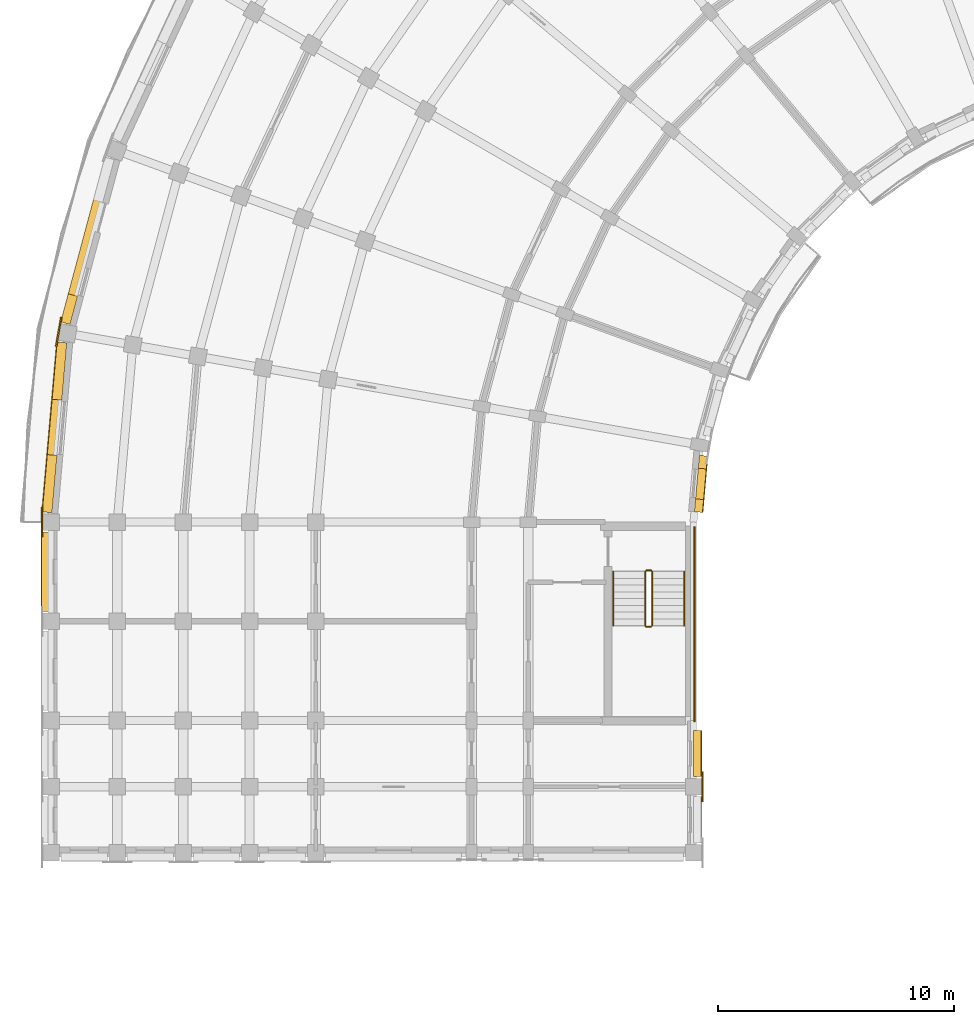
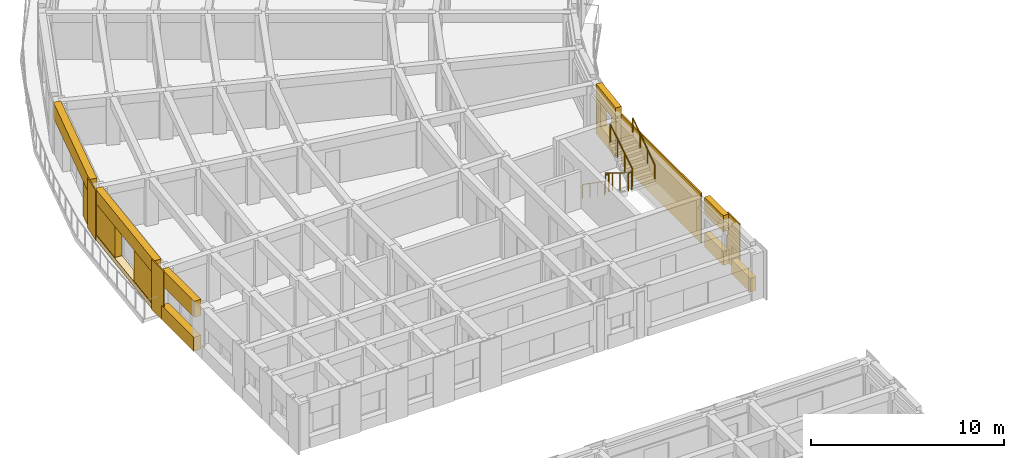
# One storey, part 46 of 57: 19 coverings, 6 railings.
"""IFC4 building model written with IfcOpenShell, lengths in metres."""

from ifc_helpers import new_model, si_unit, direction, frame, origin, origin_2d, place, context, subcontext, project, spatial, polyline, circle, outline, extrude, material, layer, layer_set, type_object, element, save


model = new_model("IFC4")

# Units and contexts
model_context = context("Model", 3, precision=1e-05, world=origin(), true_north=direction((0.0, 1.0)))
body_context = subcontext(model_context, "Body", "Model", "MODEL_VIEW")
ifc_project = project(units=[si_unit("LENGTHUNIT", "METRE"), si_unit("AREAUNIT", "SQUARE_METRE"), si_unit("VOLUMEUNIT", "CUBIC_METRE"), si_unit("PLANEANGLEUNIT", "RADIAN"), si_unit("MASSUNIT", "GRAM", prefix="KILO")], contexts=[model_context])

# Site, building, storey
site_placement = place(None, origin())
site = spatial("IfcSite", under=ifc_project, at=site_placement, CompositionType="ELEMENT")
building_placement = place(site_placement, origin())
building = spatial("IfcBuilding", under=site, at=building_placement, Name="Kiranvali Square Residences", CompositionType="ELEMENT")
storey_placement = place(building_placement, frame((0.0, 0.0, 21.300048828125)))
storey = spatial("IfcBuildingStorey", under=building, at=storey_placement, Name="L06", CompositionType="ELEMENT", Elevation=21.300048828125)

# Coverings
ifc_material_1 = material(Name="Honed Porbandar limestone ashlar facade cladding", Category="masonry")
ifc_layer_1 = layer(ifc_material_1, 0.3798828125)
ifc_layer_set_1 = layer_set([ifc_layer_1], Name="Honed Porbandar limestone ashlar facade cladding")
covering_type_1 = type_object("IfcCoveringType", Name="COV-CLAD-JAMB", PredefinedType="CLADDING", material=ifc_layer_set_1)
covering_1_placement = place(storey_placement, origin())
element("IfcCovering", 1, at=covering_1_placement, inside=storey, type_object=covering_type_1, Name="L06 deep limestone window jamb reveal A-L06-CRV-07.R", PredefinedType="CLADDING", context=body_context, shape_type="SweptSolid", body=[
    extrude(outline(polyline([(2.923828125, 97.46533203125), (2.6064453125, 96.2802734375), (3.001953125, 96.17431640625), (3.3193359375, 97.359375), (2.923828125, 97.46533203125)])), origin(), (0.0, 0.0, 1.0), 2.179931640625),
])
covering_2_placement = place(storey_placement, frame((0.0, 0.0, 0.322021484375)))
element("IfcCovering", 2, at=covering_2_placement, inside=storey, type_object=covering_type_1, Name="L06 deep limestone window jamb reveal A-L06-CRV-08.L", PredefinedType="CLADDING", context=body_context, shape_type="SweptSolid", body=[
    extrude(outline(polyline([(2.45556640625, 95.425048828125), (2.243408203125, 93.000244140625), (2.6513671875, 92.964599609375), (2.863525390625, 95.389404296875), (2.45556640625, 95.425048828125)])), origin(), (0.0, 0.0, 1.0), 1.949951171875),
])
covering_3_placement = place(storey_placement, frame((0.0, 0.0, 0.322021484375)))
element("IfcCovering", 3, at=covering_3_placement, inside=storey, type_object=covering_type_1, Name="L06 deep limestone window jamb reveal A-L06-CRV-08.R", PredefinedType="CLADDING", context=body_context, shape_type="SweptSolid", body=[
    extrude(outline(polyline([(2.03857421875, 90.6591796875), (1.826416015625, 88.234130859375), (2.234375, 88.198486328125), (2.446533203125, 90.62353515625), (2.03857421875, 90.6591796875)])), origin(), (0.0, 0.0, 1.0), 1.949951171875),
])
covering_4_placement = place(storey_placement, frame((0.0, 0.0, 0.77197265625)))
element("IfcCovering", 4, at=covering_4_placement, inside=storey, type_object=covering_type_1, Name="L06 deep limestone window jamb reveal A-L06-GDN-08.L", PredefinedType="CLADDING", context=body_context, shape_type="SweptSolid", body=[
    extrude(outline(polyline([(29.647705078125, 90.626220703125), (29.599853515625, 90.079833984375), (29.938232421875, 90.05029296875), (29.986083984375, 90.5966796875), (29.647705078125, 90.626220703125)])), origin(), (0.0, 0.0, 1.0), 1.5),
])
covering_5_placement = place(storey_placement, frame((0.0, 0.0, 0.77197265625)))
element("IfcCovering", 5, at=covering_5_placement, inside=storey, type_object=covering_type_1, Name="L06 deep limestone window jamb reveal A-L06-GDN-08.R", PredefinedType="CLADDING", context=body_context, shape_type="SweptSolid", body=[
    extrude(outline(polyline([(29.486572265625, 88.78466796875), (29.43896484375, 88.23828125), (29.777099609375, 88.208740234375), (29.824951171875, 88.755126953125), (29.486572265625, 88.78466796875)])), origin(), (0.0, 0.0, 1.0), 1.5),
])
ifc_layer_2 = layer(ifc_material_1, 0.06494140625)
ifc_layer_set_2 = layer_set([ifc_layer_2], Name="Honed Porbandar limestone ashlar facade cladding")
covering_type_2 = type_object("IfcCoveringType", Name="COV-CLAD-PIER", PredefinedType="CLADDING", material=ifc_layer_set_2)
covering_6_placement = place(storey_placement, frame((0.0, 0.0, 0.0048828125)))
element("IfcCovering", 6, at=covering_6_placement, inside=storey, type_object=covering_type_2, Name="L06 Classical limestone corner pilaster CLAD-PR-A-L06-A08", PredefinedType="CLADDING", context=body_context, shape_type="SweptSolid", body=[
    extrude(outline(polyline([(2.5966796875, 96.480712890625), (2.377685546875, 95.239990234375), (2.4443359375, 95.228271484375), (2.6630859375, 96.468994140625), (2.5966796875, 96.480712890625)])), origin(), (0.0, 0.0, 1.0), 3.14013671875),
])
covering_7_placement = place(storey_placement, frame((0.0, 0.0, 0.0048828125)))
element("IfcCovering", 7, at=covering_7_placement, inside=storey, type_object=covering_type_2, Name="L06 Classical limestone corner pilaster CLAD-PR-A-L06-A09", PredefinedType="CLADDING", context=body_context, shape_type="SweptSolid", body=[
    extrude(outline(polyline([(1.781982421875, 88.429931640625), (1.781982421875, 87.169921875), (1.849609375, 87.169921875), (1.849609375, 88.429931640625), (1.781982421875, 88.429931640625)])), origin(), (0.0, 0.0, 1.0), 3.14013671875),
])
covering_8_placement = place(storey_placement, frame((0.0, 0.0, 0.0048828125)))
element("IfcCovering", 8, at=covering_8_placement, inside=storey, type_object=covering_type_2, Name="Block A L06 Arm 2 stair limestone ashlar cladding", PredefinedType="CLADDING", context=body_context, shape_type="SweptSolid", body=[
    extrude(outline(polyline([(29.402099609375, 87.60009765625), (29.402099609375, 79.35009765625), (29.47998046875, 79.35009765625), (29.47998046875, 87.60009765625), (29.402099609375, 87.60009765625)])), origin(), (0.0, 0.0, 1.0), 3.14013671875),
])
ifc_layer_3 = layer(ifc_material_1, 0.050048828125)
ifc_layer_set_3 = layer_set([ifc_layer_3], Name="Honed Porbandar limestone ashlar facade cladding")
covering_type_3 = type_object("IfcCoveringType", Name="COV-CLAD-PIER-IN", PredefinedType="CLADDING", material=ifc_layer_set_3)
covering_9_placement = place(storey_placement, frame((0.0, 0.0, 0.0048828125)))
element("IfcCovering", 9, at=covering_9_placement, inside=storey, type_object=covering_type_3, Name="L06 Classical limestone pilaster casing CLAD-PRA2I-A-L06-V112", PredefinedType="CLADDING", context=body_context, shape_type="SweptSolid", body=[
    extrude(outline(polyline([(29.75048828125, 77.22998046875), (29.75048828125, 75.969970703125), (29.818115234375, 75.969970703125), (29.818115234375, 77.22998046875), (29.75048828125, 77.22998046875)])), origin(), (0.0, 0.0, 1.0), 3.14013671875),
])
ifc_layer_4 = layer(ifc_material_1, 0.360107421875)
ifc_layer_set_4 = layer_set([ifc_layer_4], Name="Honed Porbandar limestone ashlar facade cladding")
covering_type_4 = type_object("IfcCoveringType", Name="COV-CLAD-WALL", PredefinedType="CLADDING", material=ifc_layer_set_4)
covering_10_placement = place(storey_placement, frame((0.0, 0.0, 2.179931640625)))
element("IfcCovering", 10, at=covering_10_placement, inside=storey, type_object=covering_type_4, Name="L06 light limestone spandrel lintel A-L06-CRV-07", PredefinedType="CLADDING", context=body_context, shape_type="SweptSolid", body=[
    extrude(outline(polyline([(4.474609375, 103.252685546875), (2.6064453125, 96.2802734375), (3.001953125, 96.17431640625), (4.8701171875, 103.146728515625), (4.474609375, 103.252685546875)])), origin(), (0.0, 0.0, 1.0), 0.965087890625),
])
covering_11_placement = place(storey_placement, frame((0.0, 0.0, 2.27197265625)))
element("IfcCovering", 11, at=covering_11_placement, inside=storey, type_object=covering_type_4, Name="L06 light limestone spandrel lintel A-L06-CRV-08", PredefinedType="CLADDING", context=body_context, shape_type="SweptSolid", body=[
    extrude(outline(polyline([(2.45556640625, 95.425048828125), (1.826416015625, 88.234130859375), (2.234375, 88.198486328125), (2.863525390625, 95.389404296875), (2.45556640625, 95.425048828125)])), origin(), (0.0, 0.0, 1.0), 0.873046875),
])
covering_12_placement = place(storey_placement, frame((0.0, 0.0, 0.0048828125)))
element("IfcCovering", 12, at=covering_12_placement, inside=storey, type_object=covering_type_4, Name="L06 limestone window sill apron A-L06-CRV-08", PredefinedType="CLADDING", context=body_context, shape_type="SweptSolid", body=[
    extrude(outline(polyline([(2.42578125, 95.427734375), (1.796630859375, 88.23681640625), (2.234375, 88.198486328125), (2.863525390625, 95.389404296875), (2.42578125, 95.427734375)])), origin(), (0.0, 0.0, 1.0), 0.317138671875),
])
covering_13_placement = place(storey_placement, frame((0.0, 0.0, 2.27197265625)))
element("IfcCovering", 13, at=covering_13_placement, inside=storey, type_object=covering_type_4, Name="L06 light limestone spandrel lintel A-L06-GDN-08", PredefinedType="CLADDING", context=body_context, shape_type="SweptSolid", body=[
    extrude(outline(polyline([(29.647705078125, 90.626220703125), (29.43896484375, 88.23828125), (29.777099609375, 88.208740234375), (29.986083984375, 90.5966796875), (29.647705078125, 90.626220703125)])), origin(), (0.0, 0.0, 1.0), 0.873046875),
])
covering_14_placement = place(storey_placement, frame((0.0, 0.0, 2.1298828125)))
element("IfcCovering", 14, at=covering_14_placement, inside=storey, type_object=covering_type_4, Name="L06 light limestone spandrel lintel A-L06-A2O-0", PredefinedType="CLADDING", context=body_context, shape_type="SweptSolid", body=[
    extrude(outline(polyline([(1.800048828125, 87.3798828125), (1.800048828125, 84.02001953125), (2.199462890625, 84.02001953125), (2.199462890625, 87.3798828125), (1.800048828125, 87.3798828125)])), origin(), (0.0, 0.0, 1.0), 1.01513671875),
])
covering_15_placement = place(storey_placement, frame((0.0, 0.0, 0.0048828125)))
element("IfcCovering", 15, at=covering_15_placement, inside=storey, type_object=covering_type_4, Name="L06 limestone window sill apron A-L06-A2O-0", PredefinedType="CLADDING", context=body_context, shape_type="SweptSolid", body=[
    extrude(outline(polyline([(1.77001953125, 87.3798828125), (1.77001953125, 84.02001953125), (2.199462890625, 84.02001953125), (2.199462890625, 87.3798828125), (1.77001953125, 87.3798828125)])), origin(), (0.0, 0.0, 1.0), 0.875),
])
covering_16_placement = place(storey_placement, frame((0.0, 0.0, 2.1298828125)))
element("IfcCovering", 16, at=covering_16_placement, inside=storey, type_object=covering_type_4, Name="L06 light limestone spandrel lintel A-L06-A2I-0", PredefinedType="CLADDING", context=body_context, shape_type="SweptSolid", body=[
    extrude(outline(polyline([(29.400390625, 78.97998046875), (29.400390625, 77.02001953125), (29.719970703125, 77.02001953125), (29.719970703125, 78.97998046875), (29.400390625, 78.97998046875)])), origin(), (0.0, 0.0, 1.0), 1.01513671875),
])
covering_17_placement = place(storey_placement, frame((0.0, 0.0, 0.0048828125)))
element("IfcCovering", 17, at=covering_17_placement, inside=storey, type_object=covering_type_4, Name="L06 limestone window sill apron A-L06-A2I-0", PredefinedType="CLADDING", context=body_context, shape_type="SweptSolid", body=[
    extrude(outline(polyline([(29.400390625, 78.97998046875), (29.400390625, 77.02001953125), (29.75, 77.02001953125), (29.75, 78.97998046875), (29.400390625, 78.97998046875)])), origin(), (0.0, 0.0, 1.0), 0.875),
])
covering_18_placement = place(storey_placement, frame((0.0, 0.0, 0.0048828125)))
element("IfcCovering", 18, at=covering_18_placement, inside=storey, type_object=covering_type_4, Name="L06 limestone window sill apron A-L06-A2I-1", PredefinedType="CLADDING", context=body_context, shape_type="SweptSolid", body=[
    extrude(outline(polyline([(29.400390625, 76.179931640625), (29.400390625, 74.219970703125), (29.75, 74.219970703125), (29.75, 76.179931640625), (29.400390625, 76.179931640625)])), origin(), (0.0, 0.0, 1.0), 0.875),
])
ifc_layer_5 = layer(ifc_material_1, 0.2900390625)
ifc_layer_set_5 = layer_set([ifc_layer_5], Name="Honed Porbandar limestone ashlar facade cladding")
covering_type_5 = type_object("IfcCoveringType", Name="COV-CLAD-WALL-IN", PredefinedType="CLADDING", material=ifc_layer_set_5)
covering_19_placement = place(storey_placement, frame((0.0, 0.0, 0.0048828125)))
element("IfcCovering", 19, at=covering_19_placement, inside=storey, type_object=covering_type_5, Name="L06 limestone window sill apron A-L06-GDN-08", PredefinedType="CLADDING", context=body_context, shape_type="SweptSolid", body=[
    extrude(outline(polyline([(29.647705078125, 90.626220703125), (29.43896484375, 88.23828125), (29.806884765625, 88.2060546875), (30.015869140625, 90.593994140625), (29.647705078125, 90.626220703125)])), origin(), (0.0, 0.0, 1.0), 0.76708984375),
])

# Railings
ifc_material_2 = material(Name="Brushed stainless steel tubular handrail", Category="steel")
railing_type_1 = type_object("IfcRailingType", Name="RL-HANDRAIL-900", PredefinedType="HANDRAIL", material=ifc_material_2)
railing_1_placement = place(storey_placement, frame((26.0, 85.699951171875, 0.175048828125)))
element("IfcRailing", 20, at=railing_1_placement, inside=storey, type_object=railing_type_1, Name="L06 ST-A3 stair handrail 1", PredefinedType="HANDRAIL", context=body_context, shape_type="SweptSolid", body=[
    extrude(circle(Radius=0.02392578125, at=origin_2d()), frame((0.0, 0.0, 0.8759765625), z_axis=(0.0, -0.82278801735, 0.568348377763), x_axis=(1.0, 0.0, 0.0)), (0.0, 0.0, 1.0), 2.77099609375),
    extrude(circle(Radius=0.02099609375, at=origin_2d()), origin(), (0.0, 0.0, 1.0), 0.851806640625),
    extrude(circle(Radius=0.02099609375, at=origin_2d()), frame((0.0, -0.760009765625, 0.52490234375)), (0.0, 0.0, 1.0), 0.851806640625),
    extrude(circle(Radius=0.02099609375, at=origin_2d()), frame((0.0, -1.52001953125, 1.050048828125)), (0.0, 0.0, 1.0), 0.851806640625),
    extrude(circle(Radius=0.02099609375, at=origin_2d()), frame((0.0, -2.280029296875, 1.574951171875)), (0.0, 0.0, 1.0), 0.851806640625),
])
railing_2_placement = place(storey_placement, frame((29.0, 83.419921875, 1.75)))
element("IfcRailing", 21, at=railing_2_placement, inside=storey, type_object=railing_type_1, Name="L06 ST-A3 stair handrail 2", PredefinedType="HANDRAIL", context=body_context, shape_type="SweptSolid", body=[
    extrude(circle(Radius=0.02392578125, at=origin_2d()), frame((0.0, 0.0, 0.8759765625), z_axis=(0.0, 0.82278801735, 0.568348377763), x_axis=(-1.0, 0.0, 0.0)), (0.0, 0.0, 1.0), 2.77099609375),
    extrude(circle(Radius=0.02099609375, at=origin_2d()), origin(), (0.0, 0.0, 1.0), 0.851806640625),
    extrude(circle(Radius=0.02099609375, at=origin_2d()), frame((0.0, 0.760009765625, 0.52490234375)), (0.0, 0.0, 1.0), 0.851806640625),
    extrude(circle(Radius=0.02099609375, at=origin_2d()), frame((0.0, 1.52001953125, 1.050048828125)), (0.0, 0.0, 1.0), 0.851806640625),
    extrude(circle(Radius=0.02099609375, at=origin_2d()), frame((0.0, 2.280029296875, 1.574951171875)), (0.0, 0.0, 1.0), 0.851806640625),
])
ifc_material_3 = material(Name="Powder-coated architectural bronze balustrade", Category="steel")
railing_type_2 = type_object("IfcRailingType", Name="RL-ST-GUARD-1200", PredefinedType="GUARDRAIL", material=ifc_material_3)
railing_3_placement = place(storey_placement, frame((27.35009765625, 85.699951171875, 0.175048828125)))
element("IfcRailing", 22, at=railing_3_placement, inside=storey, type_object=railing_type_2, Name="L06 ST-A3 stair guard 1", PredefinedType="GUARDRAIL", context=body_context, shape_type="SweptSolid", body=[
    extrude(circle(Radius=0.02392578125, at=origin_2d()), frame((0.0, 0.0, 1.1259765625), z_axis=(0.0, -0.852190499154, 0.523231643875), x_axis=(1.0, 0.0, 0.0)), (0.0, 0.0, 1.0), 2.675537109375),
    extrude(circle(Radius=0.02099609375, at=origin_2d()), origin(), (0.0, 0.0, 1.0), 1.101806640625),
    extrude(circle(Radius=0.02099609375, at=origin_2d()), frame((0.0, -0.760009765625, 0.466552734375)), (0.0, 0.0, 1.0), 1.101806640625),
    extrude(circle(Radius=0.02099609375, at=origin_2d()), frame((0.0, -1.52001953125, 0.933349609375)), (0.0, 0.0, 1.0), 1.101806640625),
    extrude(circle(Radius=0.02099609375, at=origin_2d()), frame((0.0, -2.280029296875, 1.39990234375)), (0.0, 0.0, 1.0), 1.101806640625),
])
railing_4_placement = place(storey_placement, frame((27.39990234375, 83.3701171875, 1.574951171875)))
element("IfcRailing", 23, at=railing_4_placement, inside=storey, type_object=railing_type_2, Name="L06 ST-A3 stair guard 2", PredefinedType="GUARDRAIL", context=body_context, shape_type="SweptSolid", body=[
    extrude(circle(Radius=0.02392578125, at=origin_2d()), frame((0.0, 0.0, 1.1259765625), z_axis=(1.0, 0.0, 0.0), x_axis=(0.0, 1.0, 0.0)), (0.0, 0.0, 1.0), 0.2001953125),
    extrude(circle(Radius=0.02099609375, at=origin_2d()), origin(), (0.0, 0.0, 1.0), 1.101806640625),
    extrude(circle(Radius=0.02099609375, at=origin_2d()), frame((0.2001953125, 0.0, 0.0)), (0.0, 0.0, 1.0), 1.101806640625),
])
railing_5_placement = place(storey_placement, frame((27.64990234375, 83.419921875, 1.75)))
element("IfcRailing", 24, at=railing_5_placement, inside=storey, type_object=railing_type_2, Name="L06 ST-A3 stair guard 3", PredefinedType="GUARDRAIL", context=body_context, shape_type="SweptSolid", body=[
    extrude(circle(Radius=0.02392578125, at=origin_2d()), frame((0.0, 0.0, 1.1259765625), z_axis=(0.0, 0.852190499154, 0.523231643875), x_axis=(-1.0, 0.0, 0.0)), (0.0, 0.0, 1.0), 2.675537109375),
    extrude(circle(Radius=0.02099609375, at=origin_2d()), origin(), (0.0, 0.0, 1.0), 1.101806640625),
    extrude(circle(Radius=0.02099609375, at=origin_2d()), frame((0.0, 0.760009765625, 0.466552734375)), (0.0, 0.0, 1.0), 1.101806640625),
    extrude(circle(Radius=0.02099609375, at=origin_2d()), frame((0.0, 1.52001953125, 0.933349609375)), (0.0, 0.0, 1.0), 1.101806640625),
    extrude(circle(Radius=0.02099609375, at=origin_2d()), frame((0.0, 2.280029296875, 1.39990234375)), (0.0, 0.0, 1.0), 1.101806640625),
])
railing_6_placement = place(storey_placement, frame((27.39990234375, 85.75, 0.0)))
element("IfcRailing", 25, at=railing_6_placement, inside=storey, type_object=railing_type_2, Name="L06 ST-A3 stair guard 4", PredefinedType="GUARDRAIL", context=body_context, shape_type="SweptSolid", body=[
    extrude(circle(Radius=0.02392578125, at=origin_2d()), frame((0.0, 0.0, 1.1259765625), z_axis=(1.0, 0.0, 0.0), x_axis=(0.0, 1.0, 0.0)), (0.0, 0.0, 1.0), 0.2001953125),
    extrude(circle(Radius=0.02099609375, at=origin_2d()), origin(), (0.0, 0.0, 1.0), 1.101806640625),
    extrude(circle(Radius=0.02099609375, at=origin_2d()), frame((0.2001953125, 0.0, 0.0)), (0.0, 0.0, 1.0), 1.101806640625),
])

save(model, "model.ifc")
